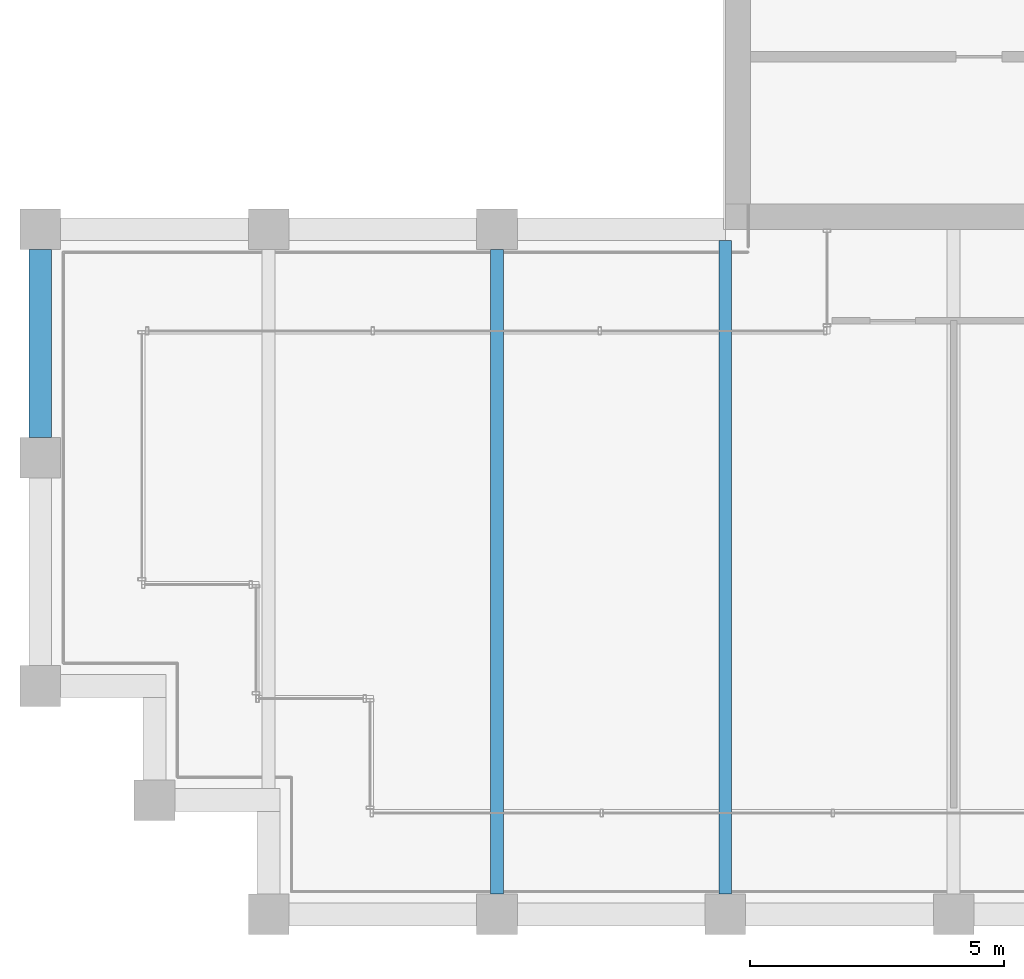
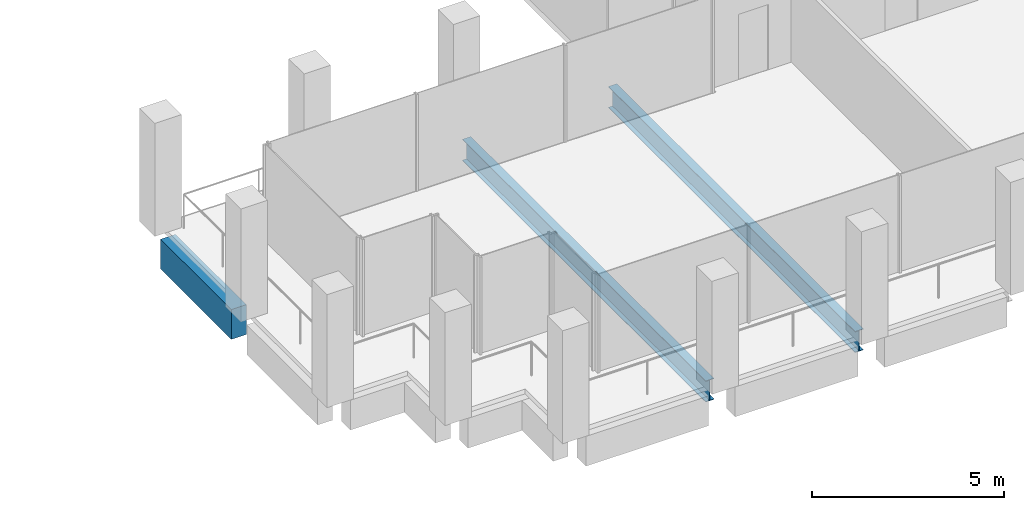
# One storey, part 4 of 30: 3 beams.
"""IFC4 building model written with IfcOpenShell, lengths in metres."""

from ifc_helpers import new_model, si_unit, direction, frame, origin, origin_2d, place, context, subcontext, project, spatial, rectangle, i_section, extrude, material, material_profile, profile_set, type_object, element, save


model = new_model("IFC4")

# Units and contexts
model_context = context("Model", 3, precision=1e-05, world=origin(), true_north=direction((0.0, 1.0)))
body_context = subcontext(model_context, "Body", "Model", "MODEL_VIEW")
ifc_project = project(units=[si_unit("LENGTHUNIT", "METRE"), si_unit("AREAUNIT", "SQUARE_METRE"), si_unit("VOLUMEUNIT", "CUBIC_METRE"), si_unit("PLANEANGLEUNIT", "RADIAN"), si_unit("MASSUNIT", "GRAM", prefix="KILO")], contexts=[model_context])

# Site, building, storey
site_placement = place(None, origin())
site = spatial("IfcSite", under=ifc_project, at=site_placement, CompositionType="ELEMENT")
building_placement = place(site_placement, origin())
building = spatial("IfcBuilding", under=site, at=building_placement, Name="Altepetl Exchange Towers", CompositionType="ELEMENT")
storey_placement = place(building_placement, frame((0.0, 0.0, 238.800048828125)))
storey = spatial("IfcBuildingStorey", under=building, at=storey_placement, Name="L61", CompositionType="ELEMENT", Elevation=238.800048828125)

# Beams
ifc_material_1 = material(Name="Steel S355", Category="steel")
ifc_material_profile_1 = material_profile(ifc_material_1, i_section(OverallWidth=0.2529296875, OverallDepth=0.677978515625, WebThickness=0.01171875, FlangeThickness=0.016357421875, at=origin_2d()), Name="W27X84")
ifc_profile_set_1 = profile_set([ifc_material_profile_1], Name="Steel S355")
beam_type_1 = type_object("IfcBeamType", Name="Floor beam W27X84", PredefinedType="BEAM", material=ifc_profile_set_1)
beam_1_placement = place(storey_placement, frame((36.0, 27.39990234375, -0.489013671875), z_axis=(0.0, 1.0, 0.0), x_axis=(-1.0, 0.0, 0.0)))
element("IfcBeam", 1, at=beam_1_placement, inside=storey, type_object=beam_type_1, Name="bm:A:L61:013", PredefinedType="BEAM", context=body_context, shape_type="SweptSolid", body=[
    extrude(i_section(OverallWidth=0.2529296875, OverallDepth=0.677978515625, WebThickness=0.01171875, FlangeThickness=0.016357421875, at=origin_2d()), origin(), (0.0, 0.0, 1.0), 12.7001953125),
])
beam_2_placement = place(storey_placement, frame((40.5, 27.39990234375, -0.489013671875), z_axis=(0.0, 1.0, 0.0), x_axis=(-1.0, 0.0, 0.0)))
element("IfcBeam", 2, at=beam_2_placement, inside=storey, type_object=beam_type_1, Name="bm:A:L61:014", PredefinedType="BEAM", context=body_context, shape_type="SweptSolid", body=[
    extrude(i_section(OverallWidth=0.2529296875, OverallDepth=0.677978515625, WebThickness=0.01171875, FlangeThickness=0.016357421875, at=origin_2d()), origin(), (0.0, 0.0, 1.0), 12.875),
])
ifc_material_2 = material(Name="Concrete C50/60 precast with cantera blanca facing", Category="concrete")
ifc_material_profile_2 = material_profile(ifc_material_2, rectangle(XDim=0.449951171875, YDim=0.949951171875, at=origin_2d()), Name="450 x 950")
ifc_profile_set_2 = profile_set([ifc_material_profile_2], Name="Concrete C50/60 precast with cantera blanca facing")
beam_type_2 = type_object("IfcBeamType", Name="Spandrel beam 450x950 cantera blanca", PredefinedType="SPANDREL", material=ifc_profile_set_2)
beam_3_placement = place(storey_placement, frame((27.0, 40.10009765625, -0.625), z_axis=(0.0, -1.0, 0.0), x_axis=(1.0, 0.0, 0.0)))
element("IfcBeam", 3, at=beam_3_placement, inside=storey, type_object=beam_type_2, Name="sp:A:L61:036", PredefinedType="SPANDREL", context=body_context, shape_type="SweptSolid", body=[
    extrude(rectangle(XDim=0.449951171875, YDim=0.949951171875, at=origin_2d()), origin(), (0.0, 0.0, 1.0), 3.7001953125),
])

save(model, "model.ifc")
